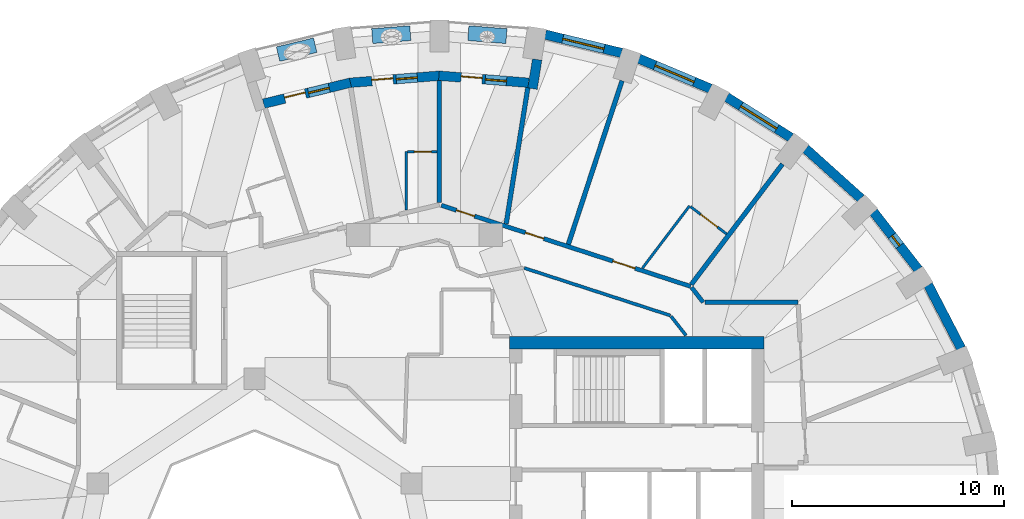
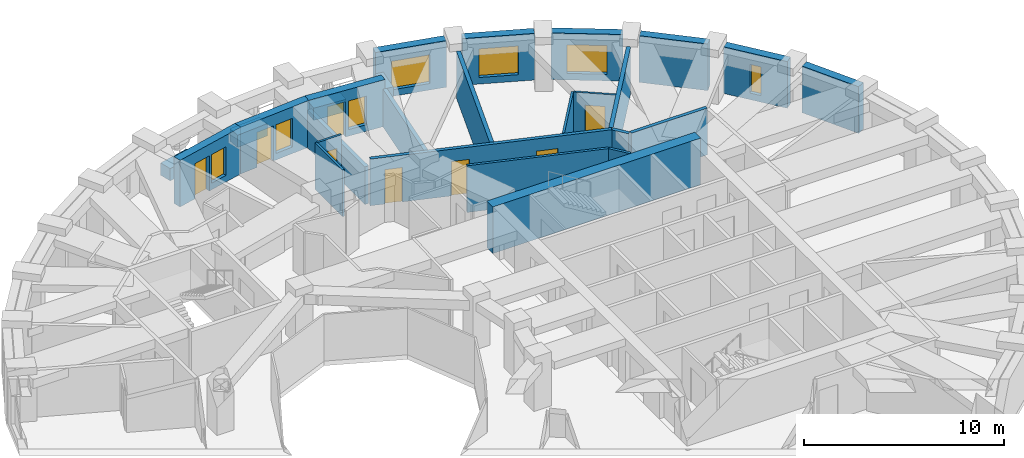
# One storey, part 8 of 12: 27 walls, 8 doors, 7 windows, 15 openings.
"""IFC4 building model written with IfcOpenShell, lengths in metres."""

from ifc_helpers import new_model, si_unit, direction, frame, frame_2d, origin, place, context, subcontext, project, spatial, rectangle, extrude, material, layer, layer_set, constituent, constituent_set, type_object, element, fill, save


model = new_model("IFC4")

# Units and contexts
model_context = context("Model", 3, precision=1e-05, world=origin(), true_north=direction((0.0, 1.0)))
body_context = subcontext(model_context, "Body", "Model", "MODEL_VIEW")
ifc_project = project(units=[si_unit("LENGTHUNIT", "METRE"), si_unit("AREAUNIT", "SQUARE_METRE"), si_unit("VOLUMEUNIT", "CUBIC_METRE"), si_unit("PLANEANGLEUNIT", "RADIAN"), si_unit("MASSUNIT", "GRAM", prefix="KILO")], contexts=[model_context])

# Site, building, storey
site_placement = place(None, origin())
site = spatial("IfcSite", under=ifc_project, at=site_placement, CompositionType="ELEMENT")
building_placement = place(site_placement, origin())
building = spatial("IfcBuilding", under=site, at=building_placement, Name="Taillehof Tower", CompositionType="ELEMENT")
storey_placement = place(building_placement, frame((0.0, 0.0, 225.5)))
storey = spatial("IfcBuildingStorey", under=building, at=storey_placement, Name="L64", CompositionType="ELEMENT", Elevation=225.5)

# Wall
ifc_material_1 = material(Name="Brick masonry", Category="masonry")
ifc_layer_1 = layer(ifc_material_1, 0.449951171875)
ifc_layer_set_1 = layer_set([ifc_layer_1], Name="Brick infill wall 450")
wall_type_1 = type_object("IfcWallType", Name="Brick infill wall 450", PredefinedType="SOLIDWALL", material=ifc_layer_set_1)
wall_1_placement = place(storey_placement, frame((25.278076171875, 9.431640625, 0.0), z_axis=(0.0, 0.0, 1.0), x_axis=(-0.460175500475, 0.887827972505, 0.0)))
element("IfcWall", 1, at=wall_1_placement, inside=storey, type_object=wall_type_1, Name="Brick wall L64 bay 3", PredefinedType="SOLIDWALL", context=body_context, shape_type="SweptSolid", body=[
    extrude(rectangle(XDim=3.37060546875, YDim=0.449951171875, at=frame_2d((1.685302734375, 0.0))), origin(), (0.0, 0.0, 1.0), 2.85009765625),
])

# Wall, opening, window
wall_2_placement = place(storey_placement, frame((23.262939453125, 13.148193359375, 0.0), z_axis=(0.0, 0.0, 1.0), x_axis=(-0.614220816451, 0.789134201919, 0.0)))
wall_2 = element("IfcWall", 2, at=wall_2_placement, inside=storey, type_object=wall_type_1, Name="Brick wall L64 bay 4", PredefinedType="SOLIDWALL", context=body_context, shape_type="SweptSolid", body=[
    extrude(rectangle(XDim=3.437744140625, YDim=0.449951171875, at=frame_2d((1.71875, 0.0))), origin(), (0.0, 0.0, 1.0), 2.85009765625),
])
opening_1_placement = place(wall_2_placement, frame((1.4189453125, 0.0, 0.39990234375)))
opening_1 = element("IfcOpeningElement", 3, at=opening_1_placement, cuts=wall_2, Name="Opening W6", PredefinedType="OPENING", context=body_context, shape_type="SweptSolid", body=[
    extrude(rectangle(XDim=0.60009765625, YDim=1.75, at=frame_2d((0.300048828125, 0.875))), frame((0.0, 0.23486328125, 0.0), z_axis=(0.0, -1.0, 0.0), x_axis=(1.0, 0.0, 0.0)), (0.0, 0.0, 1.0), 0.469970703125),
])
ifc_material_2 = material(Name="Aluminium window frame with clear double glazing", Category="aluminium")
window_type_1 = type_object("IfcWindowType", Name="Slot window 600x1750", PartitioningType="SINGLE_PANEL", PredefinedType="WINDOW", material=ifc_material_2)
window_1_placement = place(opening_1_placement, origin())
window_1 = element("IfcWindow", 4, at=window_1_placement, inside=storey, type_object=window_type_1, Name="W6", OverallHeight=1.75, OverallWidth=0.60009765625, PartitioningType="SINGLE_PANEL", PredefinedType="WINDOW", context=body_context, shape_type="SweptSolid", body=[
    extrude(rectangle(XDim=0.60009765625, YDim=1.75, at=frame_2d((0.300048828125, 0.875))), frame((0.0, 0.034912109375, 0.0), z_axis=(0.0, -1.0, 0.0), x_axis=(1.0, 0.0, 0.0)), (0.0, 0.0, 1.0), 0.06005859375),
])
fill(opening_1, window_1)

# Wall
wall_3_placement = place(storey_placement, frame((20.56494140625, 16.490478515625, 0.0), z_axis=(0.0, 0.0, 1.0), x_axis=(-0.743442727602, 0.668799604348, 0.0)))
element("IfcWall", 5, at=wall_3_placement, inside=storey, type_object=wall_type_1, Name="Brick wall L64 bay 5", PredefinedType="SOLIDWALL", context=body_context, shape_type="SweptSolid", body=[
    extrude(rectangle(XDim=3.5126953125, YDim=0.449951171875, at=frame_2d((1.75634765625, 0.0))), origin(), (0.0, 0.0, 1.0), 2.85009765625),
])

# Wall, opening, window
wall_4_placement = place(storey_placement, frame((17.26708984375, 19.3583984375, 0.0), z_axis=(0.0, 0.0, 1.0), x_axis=(-0.846119146727, 0.532993798783, 0.0)))
wall_4 = element("IfcWall", 6, at=wall_4_placement, inside=storey, type_object=wall_type_1, Name="Brick wall L64 bay 6", PredefinedType="SOLIDWALL", context=body_context, shape_type="SweptSolid", body=[
    extrude(rectangle(XDim=3.586669921875, YDim=0.449951171875, at=frame_2d((1.79345703125, 0.0))), origin(), (0.0, 0.0, 1.0), 2.85009765625),
])
opening_2_placement = place(wall_4_placement, frame((0.79345703125, 0.0, 0.39990234375)))
opening_2 = element("IfcOpeningElement", 7, at=opening_2_placement, cuts=wall_4, Name="Opening W2", PredefinedType="OPENING", context=body_context, shape_type="SweptSolid", body=[
    extrude(rectangle(XDim=2.0, YDim=1.75, at=frame_2d((1.0, 0.875))), frame((0.0, 0.23486328125, 0.0), z_axis=(0.0, -1.0, 0.0), x_axis=(1.0, 0.0, 0.0)), (0.0, 0.0, 1.0), 0.469970703125),
])
ifc_material_3 = material(Name="Aluminium window frame with clear double glazing", Category="aluminium")
window_type_2 = type_object("IfcWindowType", Name="Deep-set window 2000x1750", PartitioningType="SINGLE_PANEL", PredefinedType="WINDOW", material=ifc_material_3)
window_2_placement = place(opening_2_placement, origin())
window_2 = element("IfcWindow", 8, at=window_2_placement, inside=storey, type_object=window_type_2, Name="W2", OverallHeight=1.75, OverallWidth=2.0, PartitioningType="SINGLE_PANEL", PredefinedType="WINDOW", context=body_context, shape_type="SweptSolid", body=[
    extrude(rectangle(XDim=2.0, YDim=1.75, at=frame_2d((1.0, 0.875))), frame((0.0, 0.034912109375, 0.0), z_axis=(0.0, -1.0, 0.0), x_axis=(1.0, 0.0, 0.0)), (0.0, 0.0, 1.0), 0.06005859375),
])
fill(opening_2, window_2)

wall_5_placement = place(storey_placement, frame((13.46923828125, 21.6669921875, 0.0), z_axis=(0.0, 0.0, 1.0), x_axis=(-0.922168222612, 0.386789050006, 0.0)))
wall_5 = element("IfcWall", 9, at=wall_5_placement, inside=storey, type_object=wall_type_1, Name="Brick wall L64 bay 7", PredefinedType="SOLIDWALL", context=body_context, shape_type="SweptSolid", body=[
    extrude(rectangle(XDim=3.65087890625, YDim=0.449951171875, at=frame_2d((1.825439453125, 0.0))), origin(), (0.0, 0.0, 1.0), 2.85009765625),
])
opening_3_placement = place(wall_5_placement, frame((0.825439453125, 0.0, 0.39990234375)))
opening_3 = element("IfcOpeningElement", 10, at=opening_3_placement, cuts=wall_5, Name="Opening W2", PredefinedType="OPENING", context=body_context, shape_type="SweptSolid", body=[
    extrude(rectangle(XDim=2.0, YDim=1.75, at=frame_2d((1.0, 0.875))), frame((0.0, 0.23486328125, 0.0), z_axis=(0.0, -1.0, 0.0), x_axis=(1.0, 0.0, 0.0)), (0.0, 0.0, 1.0), 0.469970703125),
])
window_3_placement = place(opening_3_placement, origin())
window_3 = element("IfcWindow", 11, at=window_3_placement, inside=storey, type_object=window_type_2, Name="W2", OverallHeight=1.75, OverallWidth=2.0, PartitioningType="SINGLE_PANEL", PredefinedType="WINDOW", context=body_context, shape_type="SweptSolid", body=[
    extrude(rectangle(XDim=2.0, YDim=1.75, at=frame_2d((1.0, 0.875))), frame((0.0, 0.034912109375, 0.0), z_axis=(0.0, -1.0, 0.0), x_axis=(1.0, 0.0, 0.0)), (0.0, 0.0, 1.0), 0.06005859375),
])
fill(opening_3, window_3)

wall_6_placement = place(storey_placement, frame((9.285400390625, 23.34716796875, 0.0), z_axis=(0.0, 0.0, 1.0), x_axis=(-0.972173533246, 0.234261864708, 0.0)))
wall_6 = element("IfcWall", 12, at=wall_6_placement, inside=storey, type_object=wall_type_1, Name="Brick wall L64 bay 8", PredefinedType="SOLIDWALL", context=body_context, shape_type="SweptSolid", body=[
    extrude(rectangle(XDim=3.697509765625, YDim=0.449951171875, at=frame_2d((1.8486328125, 0.0))), origin(), (0.0, 0.0, 1.0), 2.85009765625),
])
opening_4_placement = place(wall_6_placement, frame((0.848876953125, 0.0, 0.39990234375)))
opening_4 = element("IfcOpeningElement", 13, at=opening_4_placement, cuts=wall_6, Name="Opening W2", PredefinedType="OPENING", context=body_context, shape_type="SweptSolid", body=[
    extrude(rectangle(XDim=2.0, YDim=1.75, at=frame_2d((1.0, 0.875))), frame((0.0, 0.23486328125, 0.0), z_axis=(0.0, -1.0, 0.0), x_axis=(1.0, 0.0, 0.0)), (0.0, 0.0, 1.0), 0.469970703125),
])
window_4_placement = place(opening_4_placement, origin())
window_4 = element("IfcWindow", 14, at=window_4_placement, inside=storey, type_object=window_type_2, Name="W2", OverallHeight=1.75, OverallWidth=2.0, PartitioningType="SINGLE_PANEL", PredefinedType="WINDOW", context=body_context, shape_type="SweptSolid", body=[
    extrude(rectangle(XDim=2.0, YDim=1.75, at=frame_2d((1.0, 0.875))), frame((0.0, 0.034912109375, 0.0), z_axis=(0.0, -1.0, 0.0), x_axis=(1.0, 0.0, 0.0)), (0.0, 0.0, 1.0), 0.06005859375),
])
fill(opening_4, window_4)

# Wall
wall_7_placement = place(storey_placement, frame((5.308837890625, 23.03857421875, 0.0), z_axis=(0.0, 0.0, 1.0), x_axis=(-0.157189016474, -0.9875685359, 0.0)))
element("IfcWall", 15, at=wall_7_placement, inside=storey, type_object=wall_type_1, Name="Brick reveal L64 pocket 2", PredefinedType="SOLIDWALL", context=body_context, shape_type="SweptSolid", body=[
    extrude(rectangle(XDim=1.39013671875, YDim=0.449951171875, at=frame_2d((0.695068359375, 0.0))), origin(), (0.0, 0.0, 1.0), 2.300048828125),
])

# Wall, openings, door, window
wall_8_placement = place(storey_placement, frame((4.906494140625, 21.9423828125, 0.0), z_axis=(0.0, 0.0, 1.0), x_axis=(-0.996902429846, 0.078648238166, 0.0)))
wall_8 = element("IfcWall", 16, at=wall_8_placement, inside=storey, type_object=wall_type_1, Name="Brick wall L64 pocket bay 9", PredefinedType="SOLIDWALL", context=body_context, shape_type="SweptSolid", body=[
    extrude(rectangle(XDim=4.2373046875, YDim=0.449951171875, at=frame_2d((2.11865234375, 0.0))), origin(), (0.0, 0.0, 1.0), 2.85009765625),
])
opening_5_placement = place(wall_8_placement, frame((1.043701171875, 0.0, 0.39990234375)))
opening_5 = element("IfcOpeningElement", 17, at=opening_5_placement, cuts=wall_8, Name="Opening W5", PredefinedType="OPENING", context=body_context, shape_type="SweptSolid", body=[
    extrude(rectangle(XDim=1.0, YDim=1.75, at=frame_2d((0.5, 0.875))), frame((0.0, 0.23486328125, 0.0), z_axis=(0.0, -1.0, 0.0), x_axis=(1.0, 0.0, 0.0)), (0.0, 0.0, 1.0), 0.469970703125),
])
opening_6_placement = place(wall_8_placement, frame((2.193603515625, 0.0, 0.0)))
opening_6 = element("IfcOpeningElement", 18, at=opening_6_placement, cuts=wall_8, Name="Opening D6491", PredefinedType="OPENING", context=body_context, shape_type="SweptSolid", body=[
    extrude(rectangle(XDim=1.0, YDim=2.14990234375, at=frame_2d((0.5, 1.074951171875))), frame((0.0, 0.23486328125, 0.0), z_axis=(0.0, -1.0, 0.0), x_axis=(1.0, 0.0, 0.0)), (0.0, 0.0, 1.0), 0.469970703125),
])
ifc_material_4 = material(Name="Aluminium door frame with clear double glazing", Category="aluminium")
door_type_1 = type_object("IfcDoorType", Name="Balcony door 1000x2150", OperationType="SINGLE_SWING_RIGHT", PredefinedType="DOOR", material=ifc_material_4)
door_1_placement = place(opening_6_placement, frame((1.0, 0.0, 0.0), z_axis=(0.0, 0.0, 1.0), x_axis=(-1.0, 0.0, 0.0)))
door_1 = element("IfcDoor", 19, at=door_1_placement, inside=storey, type_object=door_type_1, Name="Balcony door L64 bay 9", OperationType="SINGLE_SWING_RIGHT", OverallHeight=2.14990234375, OverallWidth=1.0, PredefinedType="DOOR", context=body_context, shape_type="SweptSolid", body=[
    extrude(rectangle(XDim=1.0, YDim=2.14990234375, at=frame_2d((0.5, 1.074951171875))), frame((0.0, 0.0751953125, 0.0), z_axis=(0.0, -1.0, 0.0), x_axis=(1.0, 0.0, 0.0)), (0.0, 0.0, 1.0), 0.050048828125),
])
fill(opening_6, door_1)
ifc_material_5 = material(Name="Aluminium window frame with clear double glazing", Category="aluminium")
window_type_3 = type_object("IfcWindowType", Name="Fixed window 1000x1750", PartitioningType="SINGLE_PANEL", PredefinedType="WINDOW", material=ifc_material_5)
window_5_placement = place(opening_5_placement, origin())
window_5 = element("IfcWindow", 20, at=window_5_placement, inside=storey, type_object=window_type_3, Name="W5", OverallHeight=1.75, OverallWidth=1.0, PartitioningType="SINGLE_PANEL", PredefinedType="WINDOW", context=body_context, shape_type="SweptSolid", body=[
    extrude(rectangle(XDim=1.0, YDim=1.75, at=frame_2d((0.5, 0.875))), frame((0.0, 0.034912109375, 0.0), z_axis=(0.0, -1.0, 0.0), x_axis=(1.0, 0.0, 0.0)), (0.0, 0.0, 1.0), 0.06005859375),
])
fill(opening_5, window_5)

wall_9_placement = place(storey_placement, frame((0.7177734375, 22.275634765625, 0.0), z_axis=(0.0, 0.0, 1.0), x_axis=(-0.996901346333, -0.078661970983, 0.0)))
wall_9 = element("IfcWall", 21, at=wall_9_placement, inside=storey, type_object=wall_type_1, Name="Brick wall L64 pocket bay 10", PredefinedType="SOLIDWALL", context=body_context, shape_type="SweptSolid", body=[
    extrude(rectangle(XDim=4.255126953125, YDim=0.449951171875, at=frame_2d((2.12744140625, 0.0))), origin(), (0.0, 0.0, 1.0), 2.85009765625),
])
opening_7_placement = place(wall_9_placement, frame((1.052490234375, 0.0, 0.39990234375)))
opening_7 = element("IfcOpeningElement", 22, at=opening_7_placement, cuts=wall_9, Name="Opening W5", PredefinedType="OPENING", context=body_context, shape_type="SweptSolid", body=[
    extrude(rectangle(XDim=1.0, YDim=1.75, at=frame_2d((0.5, 0.875))), frame((0.0, 0.23486328125, 0.0), z_axis=(0.0, -1.0, 0.0), x_axis=(1.0, 0.0, 0.0)), (0.0, 0.0, 1.0), 0.469970703125),
])
opening_8_placement = place(wall_9_placement, frame((2.20263671875, 0.0, 0.0)))
opening_8 = element("IfcOpeningElement", 23, at=opening_8_placement, cuts=wall_9, Name="Opening D6492", PredefinedType="OPENING", context=body_context, shape_type="SweptSolid", body=[
    extrude(rectangle(XDim=1.0, YDim=2.14990234375, at=frame_2d((0.5, 1.074951171875))), frame((0.0, 0.23486328125, 0.0), z_axis=(0.0, -1.0, 0.0), x_axis=(1.0, 0.0, 0.0)), (0.0, 0.0, 1.0), 0.469970703125),
])
door_2_placement = place(opening_8_placement, frame((1.0, 0.0, 0.0), z_axis=(0.0, 0.0, 1.0), x_axis=(-1.0, 0.0, 0.0)))
door_2 = element("IfcDoor", 24, at=door_2_placement, inside=storey, type_object=door_type_1, Name="Balcony door L64 bay 10", OperationType="SINGLE_SWING_LEFT", OverallHeight=2.14990234375, OverallWidth=1.0, PredefinedType="DOOR", context=body_context, shape_type="SweptSolid", body=[
    extrude(rectangle(XDim=1.0, YDim=2.14990234375, at=frame_2d((0.5, 1.074951171875))), frame((0.0, 0.0751953125, 0.0), z_axis=(0.0, -1.0, 0.0), x_axis=(1.0, 0.0, 0.0)), (0.0, 0.0, 1.0), 0.050048828125),
])
fill(opening_8, door_2)
window_6_placement = place(opening_7_placement, origin())
window_6 = element("IfcWindow", 25, at=window_6_placement, inside=storey, type_object=window_type_3, Name="W5", OverallHeight=1.75, OverallWidth=1.0, PartitioningType="SINGLE_PANEL", PredefinedType="WINDOW", context=body_context, shape_type="SweptSolid", body=[
    extrude(rectangle(XDim=1.0, YDim=1.75, at=frame_2d((0.5, 0.875))), frame((0.0, 0.034912109375, 0.0), z_axis=(0.0, -1.0, 0.0), x_axis=(1.0, 0.0, 0.0)), (0.0, 0.0, 1.0), 0.06005859375),
])
fill(opening_7, window_6)

wall_10_placement = place(storey_placement, frame((-3.489013671875, 21.946533203125, 0.0), z_axis=(0.0, 0.0, 1.0), x_axis=(-0.972007311035, -0.234950606076, 0.0)))
wall_10 = element("IfcWall", 26, at=wall_10_placement, inside=storey, type_object=wall_type_1, Name="Brick wall L64 pocket bay 11", PredefinedType="SOLIDWALL", context=body_context, shape_type="SweptSolid", body=[
    extrude(rectangle(XDim=4.207275390625, YDim=0.449951171875, at=frame_2d((2.103515625, 0.0))), origin(), (0.0, 0.0, 1.0), 2.85009765625),
])
opening_9_placement = place(wall_10_placement, frame((1.028564453125, 0.0, 0.39990234375)))
opening_9 = element("IfcOpeningElement", 27, at=opening_9_placement, cuts=wall_10, Name="Opening W5", PredefinedType="OPENING", context=body_context, shape_type="SweptSolid", body=[
    extrude(rectangle(XDim=1.0, YDim=1.75, at=frame_2d((0.5, 0.875))), frame((0.0, 0.23486328125, 0.0), z_axis=(0.0, -1.0, 0.0), x_axis=(1.0, 0.0, 0.0)), (0.0, 0.0, 1.0), 0.469970703125),
])
opening_10_placement = place(wall_10_placement, frame((2.1787109375, 0.0, 0.0)))
opening_10 = element("IfcOpeningElement", 28, at=opening_10_placement, cuts=wall_10, Name="Opening D6493", PredefinedType="OPENING", context=body_context, shape_type="SweptSolid", body=[
    extrude(rectangle(XDim=1.0, YDim=2.14990234375, at=frame_2d((0.5, 1.074951171875))), frame((0.0, 0.23486328125, 0.0), z_axis=(0.0, -1.0, 0.0), x_axis=(1.0, 0.0, 0.0)), (0.0, 0.0, 1.0), 0.469970703125),
])
door_3_placement = place(opening_10_placement, frame((1.0, 0.0, 0.0), z_axis=(0.0, 0.0, 1.0), x_axis=(-1.0, 0.0, 0.0)))
door_3 = element("IfcDoor", 29, at=door_3_placement, inside=storey, type_object=door_type_1, Name="Balcony door L64 bay 11", OperationType="SINGLE_SWING_LEFT", OverallHeight=2.14990234375, OverallWidth=1.0, PredefinedType="DOOR", context=body_context, shape_type="SweptSolid", body=[
    extrude(rectangle(XDim=1.0, YDim=2.14990234375, at=frame_2d((0.5, 1.074951171875))), frame((0.0, 0.0751953125, 0.0), z_axis=(0.0, -1.0, 0.0), x_axis=(1.0, 0.0, 0.0)), (0.0, 0.0, 1.0), 0.050048828125),
])
fill(opening_10, door_3)
window_7_placement = place(opening_9_placement, origin())
window_7 = element("IfcWindow", 30, at=window_7_placement, inside=storey, type_object=window_type_3, Name="W5", OverallHeight=1.75, OverallWidth=1.0, PartitioningType="SINGLE_PANEL", PredefinedType="WINDOW", context=body_context, shape_type="SweptSolid", body=[
    extrude(rectangle(XDim=1.0, YDim=1.75, at=frame_2d((0.5, 0.875))), frame((0.0, 0.034912109375, 0.0), z_axis=(0.0, -1.0, 0.0), x_axis=(1.0, 0.0, 0.0)), (0.0, 0.0, 1.0), 0.06005859375),
])
fill(opening_9, window_7)

# Wall, openings, doors
ifc_material_6 = material(Name="Gypsum board on steel studs, two layers each side", Category="steel")
ifc_layer_2 = layer(ifc_material_6, 0.199951171875)
ifc_layer_set_2 = layer_set([ifc_layer_2], Name="Compartment wall corridor 200")
wall_type_2 = type_object("IfcWallType", Name="Compartment wall corridor 200", PredefinedType="PARTITIONING", material=ifc_layer_set_2)
wall_11_placement = place(storey_placement, frame((0.795166015625, 16.16943359375, 0.0), z_axis=(0.0, 0.0, 1.0), x_axis=(0.950998491074, -0.309195520626, 0.0)))
wall_11 = element("IfcWall", 31, at=wall_11_placement, inside=storey, type_object=wall_type_2, Name="Compartment wall", PredefinedType="PARTITIONING", context=body_context, shape_type="SweptSolid", body=[
    extrude(rectangle(XDim=12.357177734375, YDim=0.199951171875, at=frame_2d((6.1787109375, 0.0))), origin(), (0.0, 0.0, 1.0), 2.85009765625),
])
opening_11_placement = place(wall_11_placement, frame((8.49560546875, 0.0, 0.0)))
opening_11 = element("IfcOpeningElement", 32, at=opening_11_placement, cuts=wall_11, Name="Opening D6440", PredefinedType="OPENING", context=body_context, shape_type="SweptSolid", body=[
    extrude(rectangle(XDim=1.10009765625, YDim=2.10009765625, at=frame_2d((0.550048828125, 1.050048828125))), frame((0.0, 0.10986328125, 0.0), z_axis=(0.0, -1.0, 0.0), x_axis=(1.0, 0.0, 0.0)), (0.0, 0.0, 1.0), 0.219970703125),
])
opening_12_placement = place(wall_11_placement, frame((4.1689453125, 0.0, 0.0)))
opening_12 = element("IfcOpeningElement", 33, at=opening_12_placement, cuts=wall_11, Name="Opening D6442", PredefinedType="OPENING", context=body_context, shape_type="SweptSolid", body=[
    extrude(rectangle(XDim=0.89990234375, YDim=2.10009765625, at=frame_2d((0.449951171875, 1.050048828125))), frame((0.0, 0.10986328125, 0.0), z_axis=(0.0, -1.0, 0.0), x_axis=(1.0, 0.0, 0.0)), (0.0, 0.0, 1.0), 0.219970703125),
])
opening_13_placement = place(wall_11_placement, frame((0.746826171875, 0.0, 0.0)))
opening_13 = element("IfcOpeningElement", 34, at=opening_13_placement, cuts=wall_11, Name="Opening D6443", PredefinedType="OPENING", context=body_context, shape_type="SweptSolid", body=[
    extrude(rectangle(XDim=0.89990234375, YDim=2.10009765625, at=frame_2d((0.449951171875, 1.050048828125))), frame((0.0, 0.10986328125, 0.0), z_axis=(0.0, -1.0, 0.0), x_axis=(1.0, 0.0, 0.0)), (0.0, 0.0, 1.0), 0.219970703125),
])
ifc_material_7 = material(Name="Timber door leaf in steel frame", Category="steel")
door_type_2 = type_object("IfcDoorType", Name="Accessible guest room door EI 30 1100 x 2100", OperationType="SINGLE_SWING_LEFT", PredefinedType="DOOR", material=ifc_material_7)
door_4_placement = place(opening_11_placement, origin())
door_4 = element("IfcDoor", 35, at=door_4_placement, inside=storey, type_object=door_type_2, Name="D6440", OperationType="SINGLE_SWING_RIGHT", OverallHeight=2.10009765625, OverallWidth=1.10009765625, PredefinedType="DOOR", context=body_context, shape_type="SweptSolid", body=[
    extrude(rectangle(XDim=1.10009765625, YDim=2.10009765625, at=frame_2d((0.550048828125, 1.050048828125))), frame((0.0, 0.02490234375, 0.0), z_axis=(0.0, -1.0, 0.0), x_axis=(1.0, 0.0, 0.0)), (0.0, 0.0, 1.0), 0.050048828125),
])
fill(opening_11, door_4)
ifc_material_8 = material(Name="Timber door leaf in steel frame", Category="steel")
door_type_3 = type_object("IfcDoorType", Name="Service room door EI 30 900 x 2100", OperationType="SINGLE_SWING_LEFT", PredefinedType="DOOR", material=ifc_material_8)
door_5_placement = place(opening_12_placement, origin())
door_5 = element("IfcDoor", 36, at=door_5_placement, inside=storey, type_object=door_type_3, Name="D6442", OperationType="SINGLE_SWING_LEFT", OverallHeight=2.10009765625, OverallWidth=0.89990234375, PredefinedType="DOOR", context=body_context, shape_type="SweptSolid", body=[
    extrude(rectangle(XDim=0.89990234375, YDim=2.10009765625, at=frame_2d((0.449951171875, 1.050048828125))), frame((0.0, 0.02490234375, 0.0), z_axis=(0.0, -1.0, 0.0), x_axis=(1.0, 0.0, 0.0)), (0.0, 0.0, 1.0), 0.050048828125),
])
fill(opening_12, door_5)
door_6_placement = place(opening_13_placement, origin())
door_6 = element("IfcDoor", 37, at=door_6_placement, inside=storey, type_object=door_type_3, Name="D6443", OperationType="SINGLE_SWING_LEFT", OverallHeight=2.10009765625, OverallWidth=0.89990234375, PredefinedType="DOOR", context=body_context, shape_type="SweptSolid", body=[
    extrude(rectangle(XDim=0.89990234375, YDim=2.10009765625, at=frame_2d((0.449951171875, 1.050048828125))), frame((0.0, 0.02490234375, 0.0), z_axis=(0.0, -1.0, 0.0), x_axis=(1.0, 0.0, 0.0)), (0.0, 0.0, 1.0), 0.050048828125),
])
fill(opening_13, door_6)

# Walls
wall_12_placement = place(storey_placement, frame((12.58349609375, 12.301025390625, 0.0), z_axis=(0.0, 0.0, 1.0), x_axis=(0.616670471626, -0.787221397972, 0.0)))
element("IfcWall", 38, at=wall_12_placement, inside=storey, type_object=wall_type_2, Name="Compartment wall", PredefinedType="PARTITIONING", context=body_context, shape_type="SweptSolid", body=[
    extrude(rectangle(XDim=0.890380859375, YDim=0.199951171875, at=frame_2d((0.4453125, 0.0))), origin(), (0.0, 0.0, 1.0), 2.85009765625),
])
wall_13_placement = place(storey_placement, frame((13.212646484375, 11.60009765625, 0.0), z_axis=(0.0, 0.0, 1.0), x_axis=(1.0, 0.0, 0.0)))
element("IfcWall", 39, at=wall_13_placement, inside=storey, type_object=wall_type_2, Name="Compartment wall", PredefinedType="PARTITIONING", context=body_context, shape_type="SweptSolid", body=[
    extrude(rectangle(XDim=4.387451171875, YDim=0.199951171875, at=frame_2d((2.19384765625, 0.0))), origin(), (0.0, 0.0, 1.0), 2.85009765625),
])
ifc_material_9 = material(Name="Gypsum board on double steel studs with mineral wool", Category="steel")
ifc_layer_3 = layer(ifc_material_9, 0.219970703125)
ifc_layer_set_3 = layer_set([ifc_layer_3], Name="Compartment wall guest room 220")
wall_type_3 = type_object("IfcWallType", Name="Compartment wall guest room 220", PredefinedType="PARTITIONING", material=ifc_layer_set_3)
wall_14_placement = place(storey_placement, frame((16.86328125, 18.112548828125, 0.0), z_axis=(0.0, 0.0, 1.0), x_axis=(-0.603604387564, -0.79728397909, 0.0)))
element("IfcWall", 40, at=wall_14_placement, inside=storey, type_object=wall_type_3, Name="Compartment wall", PredefinedType="PARTITIONING", context=body_context, shape_type="SweptSolid", body=[
    extrude(rectangle(XDim=7.108154296875, YDim=0.219970703125, at=frame_2d((3.55419921875, 0.0))), origin(), (0.0, 0.0, 1.0), 2.85009765625),
])
wall_15_placement = place(storey_placement, frame((9.30712890625, 22.035400390625, 0.0), z_axis=(0.0, 0.0, 1.0), x_axis=(-0.311971255232, -0.950091540805, 0.0)))
element("IfcWall", 41, at=wall_15_placement, inside=storey, type_object=wall_type_3, Name="Compartment wall", PredefinedType="PARTITIONING", context=body_context, shape_type="SweptSolid", body=[
    extrude(rectangle(XDim=8.110595703125, YDim=0.219970703125, at=frame_2d((4.05517578125, 0.0))), origin(), (0.0, 0.0, 1.0), 2.85009765625),
])
wall_16_placement = place(storey_placement, frame((4.87109375, 21.719482421875, 0.0), z_axis=(0.0, 0.0, 1.0), x_axis=(-0.157114215968, -0.98758043882, 0.0)))
element("IfcWall", 42, at=wall_16_placement, inside=storey, type_object=wall_type_3, Name="Compartment wall", PredefinedType="PARTITIONING", context=body_context, shape_type="SweptSolid", body=[
    extrude(rectangle(XDim=6.49853515625, YDim=0.219970703125, at=frame_2d((3.249267578125, 0.0))), origin(), (0.0, 0.0, 1.0), 2.300048828125),
])
wall_17_placement = place(storey_placement, frame((0.699951171875, 22.048583984375, 0.0), z_axis=(0.0, 0.0, 1.0), x_axis=(0.0, -1.0, 0.0)))
element("IfcWall", 43, at=wall_17_placement, inside=storey, type_object=wall_type_3, Name="Compartment wall", PredefinedType="PARTITIONING", context=body_context, shape_type="SweptSolid", body=[
    extrude(rectangle(XDim=5.74853515625, YDim=0.219970703125, at=frame_2d((2.874267578125, 0.0))), origin(), (0.0, 0.0, 1.0), 2.300048828125),
])
ifc_material_10 = material(Name="Gypsum board on steel studs, two layers each side", Category="steel")
ifc_layer_4 = layer(ifc_material_10, 0.14990234375)
ifc_layer_set_4 = layer_set([ifc_layer_4], Name="Compartment wall service room 150")
wall_type_4 = type_object("IfcWallType", Name="Compartment wall service room 150", PredefinedType="PARTITIONING", material=ifc_layer_set_4)
wall_18_placement = place(storey_placement, frame((4.69873046875, 13.2177734375, 0.0), z_axis=(0.0, 0.0, 1.0), x_axis=(0.95099963578, -0.30919199981, 0.0)))
element("IfcWall", 44, at=wall_18_placement, inside=storey, type_object=wall_type_4, Name="Compartment wall", PredefinedType="PARTITIONING", context=body_context, shape_type="SweptSolid", body=[
    extrude(rectangle(XDim=7.243896484375, YDim=0.14990234375, at=frame_2d((3.6220703125, 0.0))), origin(), (0.0, 0.0, 1.0), 2.85009765625),
])
wall_19_placement = place(storey_placement, frame((11.612060546875, 10.9462890625, 0.0), z_axis=(0.0, 0.0, 1.0), x_axis=(0.616228210046, -0.787567643535, 0.0)))
element("IfcWall", 45, at=wall_19_placement, inside=storey, type_object=wall_type_4, Name="Compartment wall", PredefinedType="PARTITIONING", context=body_context, shape_type="SweptSolid", body=[
    extrude(rectangle(XDim=1.1513671875, YDim=0.14990234375, at=frame_2d((0.57568359375, 0.0))), origin(), (0.0, 0.0, 1.0), 2.85009765625),
])
ifc_material_11 = material(Name="Concrete C80/95", Category="concrete")
ifc_layer_5 = layer(ifc_material_11, 0.60009765625)
ifc_layer_set_5 = layer_set([ifc_layer_5], Name="Core wall C80/95 600")
wall_type_5 = type_object("IfcWallType", Name="Core wall C80/95 600", PredefinedType="SHEAR", material=ifc_layer_set_5)
wall_20_placement = place(storey_placement, frame((4.0, 9.699951171875, 0.0), z_axis=(0.0, 0.0, 1.0), x_axis=(1.0, 0.0, 0.0)))
element("IfcWall", 46, at=wall_20_placement, inside=storey, type_object=wall_type_5, Name="Core wall CW06", PredefinedType="SHEAR", context=body_context, shape_type="SweptSolid", body=[
    extrude(rectangle(XDim=12.0, YDim=0.60009765625, at=frame_2d((6.0, 0.0))), origin(), (0.0, 0.0, 1.0), 2.85009765625),
])
ifc_material_12 = material(Name="Gypsum board on steel studs, moisture resistant", Category="steel")
ifc_layer_6 = layer(ifc_material_12, 0.1201171875)
ifc_layer_set_6 = layer_set([ifc_layer_6], Name="En-suite wall 120")
wall_type_6 = type_object("IfcWallType", Name="En-suite wall 120", PredefinedType="PARTITIONING", material=ifc_layer_set_6)
wall_21_placement = place(storey_placement, frame((10.269775390625, 13.2138671875, 0.0), z_axis=(0.0, 0.0, 1.0), x_axis=(0.603632344714, 0.797262812638, 0.0)))
element("IfcWall", 47, at=wall_21_placement, inside=storey, type_object=wall_type_6, Name="En-suite wall", PredefinedType="PARTITIONING", context=body_context, shape_type="SweptSolid", body=[
    extrude(rectangle(XDim=3.671630859375, YDim=0.1201171875, at=frame_2d((1.8359375, 0.0))), origin(), (0.0, 0.0, 1.0), 2.85009765625),
])
wall_22_placement = place(storey_placement, frame((-0.85009765625, 15.9501953125, 0.0), z_axis=(0.0, 0.0, 1.0), x_axis=(0.0, 1.0, 0.0)))
element("IfcWall", 48, at=wall_22_placement, inside=storey, type_object=wall_type_6, Name="En-suite wall", PredefinedType="PARTITIONING", context=body_context, shape_type="SweptSolid", body=[
    extrude(rectangle(XDim=2.749755859375, YDim=0.1201171875, at=frame_2d((1.375, 0.0))), origin(), (0.0, 0.0, 1.0), 2.85009765625),
])

# Wall, opening, door
wall_23_placement = place(storey_placement, frame((12.53369140625, 16.105224609375, 0.0), z_axis=(0.0, 0.0, 1.0), x_axis=(0.797282665226, -0.603606123005, 0.0)))
wall_23 = element("IfcWall", 49, at=wall_23_placement, inside=storey, type_object=wall_type_6, Name="En-suite wall", PredefinedType="PARTITIONING", context=body_context, shape_type="SweptSolid", body=[
    extrude(rectangle(XDim=2.13037109375, YDim=0.1201171875, at=frame_2d((1.065185546875, 0.0))), origin(), (0.0, 0.0, 1.0), 2.85009765625),
])
opening_14_placement = place(wall_23_placement, frame((0.59033203125, 0.0, 0.0)))
opening_14 = element("IfcOpeningElement", 50, at=opening_14_placement, cuts=wall_23, Name="Opening D6441", PredefinedType="OPENING", context=body_context, shape_type="SweptSolid", body=[
    extrude(rectangle(XDim=1.0, YDim=2.10009765625, at=frame_2d((0.5, 1.050048828125))), frame((0.0, 0.070068359375, 0.0), z_axis=(0.0, -1.0, 0.0), x_axis=(1.0, 0.0, 0.0)), (0.0, 0.0, 1.0), 0.14013671875),
])
ifc_material_13 = material(Name="Timber door leaf in steel frame", Category="steel")
door_type_4 = type_object("IfcDoorType", Name="Accessible en-suite door 1000 x 2100", OperationType="SINGLE_SWING_LEFT", PredefinedType="DOOR", material=ifc_material_13)
door_7_placement = place(opening_14_placement, origin())
door_7 = element("IfcDoor", 51, at=door_7_placement, inside=storey, type_object=door_type_4, Name="D6441", OperationType="SINGLE_SWING_RIGHT", OverallHeight=2.10009765625, OverallWidth=1.0, PredefinedType="DOOR", context=body_context, shape_type="SweptSolid", body=[
    extrude(rectangle(XDim=1.0, YDim=2.10009765625, at=frame_2d((0.5, 1.050048828125))), frame((0.0, 0.02490234375, 0.0), z_axis=(0.0, -1.0, 0.0), x_axis=(1.0, 0.0, 0.0)), (0.0, 0.0, 1.0), 0.050048828125),
])
fill(opening_14, door_7)

wall_24_placement = place(storey_placement, frame((-0.7900390625, 18.699951171875, 0.0), z_axis=(0.0, 0.0, 1.0), x_axis=(1.0, 0.0, 0.0)))
wall_24 = element("IfcWall", 52, at=wall_24_placement, inside=storey, type_object=wall_type_6, Name="En-suite wall", PredefinedType="PARTITIONING", context=body_context, shape_type="SweptSolid", body=[
    extrude(rectangle(XDim=1.3798828125, YDim=0.1201171875, at=frame_2d((0.68994140625, 0.0))), origin(), (0.0, 0.0, 1.0), 2.85009765625),
])
opening_15_placement = place(wall_24_placement, frame((0.31494140625, 0.0, 0.0)))
opening_15 = element("IfcOpeningElement", 53, at=opening_15_placement, cuts=wall_24, Name="Opening D6445", PredefinedType="OPENING", context=body_context, shape_type="SweptSolid", body=[
    extrude(rectangle(XDim=0.800048828125, YDim=2.10009765625, at=frame_2d((0.39990234375, 1.050048828125))), frame((0.0, 0.070068359375, 0.0), z_axis=(0.0, -1.0, 0.0), x_axis=(1.0, 0.0, 0.0)), (0.0, 0.0, 1.0), 0.14013671875),
])
ifc_material_14 = material(Name="Timber door leaf in steel frame", Category="steel")
door_type_5 = type_object("IfcDoorType", Name="En-suite door 800 x 2100", OperationType="SINGLE_SWING_LEFT", PredefinedType="DOOR", material=ifc_material_14)
door_8_placement = place(opening_15_placement, origin())
door_8 = element("IfcDoor", 54, at=door_8_placement, inside=storey, type_object=door_type_5, Name="D6445", OperationType="SINGLE_SWING_RIGHT", OverallHeight=2.10009765625, OverallWidth=0.800048828125, PredefinedType="DOOR", context=body_context, shape_type="SweptSolid", body=[
    extrude(rectangle(XDim=0.800048828125, YDim=2.10009765625, at=frame_2d((0.39990234375, 1.050048828125))), frame((0.0, 0.02490234375, 0.0), z_axis=(0.0, -1.0, 0.0), x_axis=(1.0, 0.0, 0.0)), (0.0, 0.0, 1.0), 0.050048828125),
])
fill(opening_15, door_8)

# Walls
ifc_material_15 = material(Name="Concrete C30/37 precast", Category="concrete")
ifc_constituent_1 = constituent(ifc_material_15, Name="Structure", Category="concrete")
ifc_material_16 = material(Name="Insulated lining")
ifc_constituent_2 = constituent(ifc_material_16, Name="Lining")
ifc_constituent_set = constituent_set(constituents=[ifc_constituent_1, ifc_constituent_2], Name="Planter trough 700x750")
wall_type_7 = type_object("IfcWallType", Name="Planter trough 700x750", PredefinedType="USERDEFINED", material=ifc_constituent_set)
for number, where, z_axis, x_axis, name in (
    (55, (3.860595703125, 24.1396484375, 0.0), (0.0, 0.0, 1.0), (-0.996911576184, 0.078532218042, 0.0), "Planter L64 bay 9"),
    (56, (-0.666015625, 24.281005859375, 0.0), (0.0, 0.0, 1.0), (-0.996911576184, -0.078532218042, 0.0), "Planter L64 bay 10"),
):
    element("IfcWall", number, at=place(storey_placement, frame(where, z_axis=z_axis, x_axis=x_axis)), inside=storey, type_object=wall_type_7, Name=name, ObjectType="PLANTER", PredefinedType="USERDEFINED", context=body_context, shape_type="SweptSolid", body=[
        extrude(rectangle(XDim=1.800048828125, YDim=0.699951171875, at=frame_2d((0.89990234375, 0.0))), origin(), (0.0, 0.0, 1.0), 0.75),
    ])
wall_25_placement = place(storey_placement, frame((-5.146484375, 23.714111328125, 0.0), z_axis=(0.0, 0.0, 1.0), x_axis=(-0.972142986016, -0.234388597717, 0.0)))
element("IfcWall", 57, at=wall_25_placement, inside=storey, type_object=wall_type_7, Name="Planter L64 bay 11", ObjectType="PLANTER", PredefinedType="USERDEFINED", context=body_context, shape_type="SweptSolid", body=[
    extrude(rectangle(XDim=1.7998046875, YDim=0.699951171875, at=frame_2d((0.89990234375, 0.0))), origin(), (0.0, 0.0, 1.0), 0.75),
])

save(model, "model.ifc")
